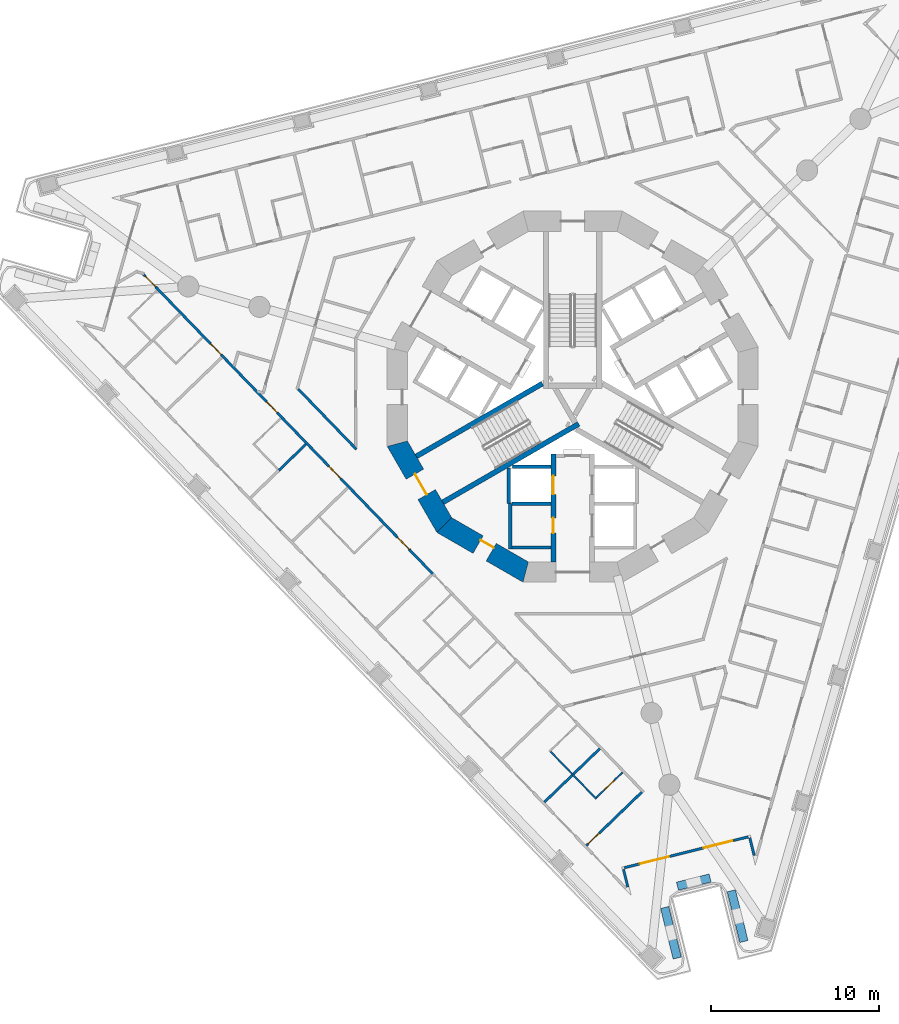
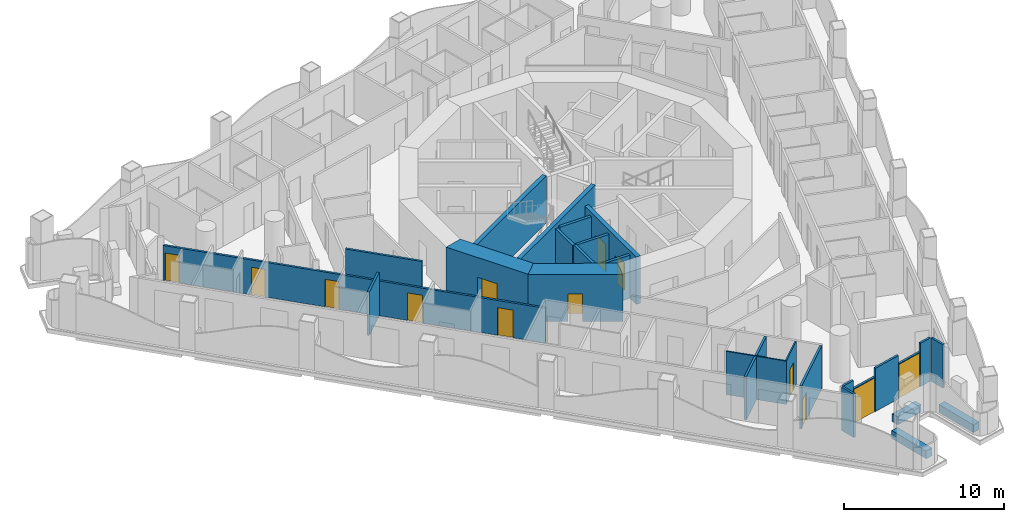
# One storey, part 3 of 19: 28 walls, 13 doors, 13 openings.
"""IFC4 building model written with IfcOpenShell, lengths in metres."""

from ifc_helpers import new_model, si_unit, direction, frame, frame_2d, origin, place, context, subcontext, project, spatial, polyline, rectangle, outline, extrude, material, layer, layer_set, type_object, element, fill, save


model = new_model("IFC4")

# Units and contexts
model_context = context("Model", 3, precision=1e-05, world=origin(), true_north=direction((0.0, 1.0)))
body_context = subcontext(model_context, "Body", "Model", "MODEL_VIEW")
ifc_project = project(units=[si_unit("LENGTHUNIT", "METRE"), si_unit("AREAUNIT", "SQUARE_METRE"), si_unit("VOLUMEUNIT", "CUBIC_METRE"), si_unit("PLANEANGLEUNIT", "RADIAN"), si_unit("MASSUNIT", "GRAM", prefix="KILO")], contexts=[model_context])

# Site, building, storey
site_placement = place(None, origin())
site = spatial("IfcSite", under=ifc_project, at=site_placement, CompositionType="ELEMENT")
building_placement = place(site_placement, origin())
building = spatial("IfcBuilding", under=site, at=building_placement, Name="Trine Commons Tower", CompositionType="ELEMENT")
storey_placement = place(building_placement, frame((0.0, 0.0, 105.300048828125)))
storey = spatial("IfcBuildingStorey", under=building, at=storey_placement, Name="L26", CompositionType="ELEMENT", Elevation=105.300048828125)

# Walls
ifc_material_1 = material(Name="Aluminium-framed insulated wall panel", Category="aluminium")
ifc_layer_1 = layer(ifc_material_1, 0.14990234375)
ifc_layer_set_1 = layer_set([ifc_layer_1], Name="Aluminium-framed insulated wall panel")
wall_type_1 = type_object("IfcWallType", Name="Glazed frame wall 150, EI 60", PredefinedType="SOLIDWALL", material=ifc_layer_set_1)
wall_1_placement = place(storey_placement, frame((90.810302734375, 35.118896484375, 0.0), z_axis=(0.0, 0.0, 1.0), x_axis=(-0.241937701072, 0.970291785393, 0.0)))
element("IfcWall", 1, at=wall_1_placement, inside=storey, type_object=wall_type_1, Name="Glazed frame wall R9", PredefinedType="SOLIDWALL", context=body_context, shape_type="SweptSolid", body=[
    extrude(outline(polyline([(0.1494140625, 0.074951171875), (0.1494140625, -0.074951171875), (1.235107421875, -0.074951171875), (1.235107421875, 0.074951171875), (0.1494140625, 0.074951171875)])), origin(), (0.0, 0.0, 1.0), 3.300048828125),
])
wall_2_placement = place(storey_placement, frame((90.527099609375, 36.398681640625, 0.0), z_axis=(0.0, 0.0, 1.0), x_axis=(-0.970285952705, -0.24196109188, 0.0)))
element("IfcWall", 2, at=wall_2_placement, inside=storey, type_object=wall_type_1, Name="Glazed frame wall P3.1", PredefinedType="SOLIDWALL", context=body_context, shape_type="SweptSolid", body=[
    extrude(outline(polyline([(0.110107421875, -0.074951171875), (1.0, -0.074951171875), (1.0, 0.074951171875), (0.110107421875, 0.074951171875), (0.110107421875, -0.074951171875)])), origin(), (0.0, 0.0, 1.0), 3.300048828125),
])

# Wall, opening, door
wall_3_placement = place(storey_placement, frame((89.556884765625, 36.15673828125, 0.0), z_axis=(0.0, 0.0, 1.0), x_axis=(-0.970285945114, -0.241961122321, 0.0)))
wall_3 = element("IfcWall", 3, at=wall_3_placement, inside=storey, type_object=wall_type_1, Name="Glazed frame wall P3.2", PredefinedType="SOLIDWALL", context=body_context, shape_type="SweptSolid", body=[
    extrude(outline(polyline([(0.0, -0.074951171875), (1.89990234375, -0.074951171875), (1.89990234375, 0.074951171875), (0.0, 0.074951171875), (0.0, -0.074951171875)])), origin(), (0.0, 0.0, 1.0), 2.64990234375),
])
opening_1_placement = place(wall_3_placement, frame((0.050048828125, 0.0, 0.0)))
opening_1 = element("IfcOpeningElement", 4, at=opening_1_placement, cuts=wall_3, Name="Opening BD-3P3-01", PredefinedType="OPENING", context=body_context, shape_type="SweptSolid", body=[
    extrude(rectangle(XDim=1.800048828125, YDim=2.60009765625, at=frame_2d((0.89990234375, 1.300048828125))), frame((0.0, 0.0849609375, 0.0), z_axis=(0.0, -1.0, 0.0), x_axis=(1.0, 0.0, 0.0)), (0.0, 0.0, 1.0), 0.169921875),
])
ifc_material_2 = material(Name="Anodised aluminium frame with double glazing", Category="aluminium")
door_type_1 = type_object("IfcDoorType", Name="Sliding loggia door 1800x2600", OperationType="SLIDING_TO_LEFT", PredefinedType="DOOR", material=ifc_material_2)
door_1_placement = place(opening_1_placement, origin())
door_1 = element("IfcDoor", 5, at=door_1_placement, inside=storey, type_object=door_type_1, Name="Loggia door P3 1", OperationType="SLIDING_TO_LEFT", OverallHeight=2.60009765625, OverallWidth=1.800048828125, PredefinedType="DOOR", context=body_context, shape_type="SweptSolid", body=[
    extrude(rectangle(XDim=1.800048828125, YDim=2.60009765625, at=frame_2d((0.89990234375, 1.300048828125))), frame((0.0, 0.02490234375, 0.0), z_axis=(0.0, -1.0, 0.0), x_axis=(1.0, 0.0, 0.0)), (0.0, 0.0, 1.0), 0.050048828125),
])
fill(opening_1, door_1)

# Wall
wall_4_placement = place(storey_placement, frame((87.71337890625, 35.697021484375, 0.0), z_axis=(0.0, 0.0, 1.0), x_axis=(-0.970293098586, -0.241932434444, 0.0)))
element("IfcWall", 6, at=wall_4_placement, inside=storey, type_object=wall_type_1, Name="Glazed frame wall P3.3", PredefinedType="SOLIDWALL", context=body_context, shape_type="SweptSolid", body=[
    extrude(outline(polyline([(0.0, -0.074951171875), (2.0, -0.074951171875), (2.0, 0.074951171875), (0.0, 0.074951171875), (0.0, -0.074951171875)])), origin(), (0.0, 0.0, 1.0), 3.300048828125),
])

# Wall, opening, door
wall_5_placement = place(storey_placement, frame((85.772705078125, 35.213134765625, 0.0), z_axis=(0.0, 0.0, 1.0), x_axis=(-0.970285945114, -0.241961122321, 0.0)))
wall_5 = element("IfcWall", 7, at=wall_5_placement, inside=storey, type_object=wall_type_1, Name="Glazed frame wall P3.4", PredefinedType="SOLIDWALL", context=body_context, shape_type="SweptSolid", body=[
    extrude(outline(polyline([(0.0, -0.074951171875), (1.89990234375, -0.074951171875), (1.89990234375, 0.074951171875), (0.0, 0.074951171875), (0.0, -0.074951171875)])), origin(), (0.0, 0.0, 1.0), 2.64990234375),
])
opening_2_placement = place(wall_5_placement, frame((0.050048828125, 0.0, 0.0)))
opening_2 = element("IfcOpeningElement", 8, at=opening_2_placement, cuts=wall_5, Name="Opening BD-3P3-02", PredefinedType="OPENING", context=body_context, shape_type="SweptSolid", body=[
    extrude(rectangle(XDim=1.800048828125, YDim=2.60009765625, at=frame_2d((0.89990234375, 1.300048828125))), frame((0.0, 0.0849609375, 0.0), z_axis=(0.0, -1.0, 0.0), x_axis=(1.0, 0.0, 0.0)), (0.0, 0.0, 1.0), 0.169921875),
])
door_2_placement = place(opening_2_placement, origin())
door_2 = element("IfcDoor", 9, at=door_2_placement, inside=storey, type_object=door_type_1, Name="Loggia door P3 2", OperationType="SLIDING_TO_LEFT", OverallHeight=2.60009765625, OverallWidth=1.800048828125, PredefinedType="DOOR", context=body_context, shape_type="SweptSolid", body=[
    extrude(rectangle(XDim=1.800048828125, YDim=2.60009765625, at=frame_2d((0.89990234375, 1.300048828125))), frame((0.0, 0.02490234375, 0.0), z_axis=(0.0, -1.0, 0.0), x_axis=(1.0, 0.0, 0.0)), (0.0, 0.0, 1.0), 0.050048828125),
])
fill(opening_2, door_2)

# Walls
wall_6_placement = place(storey_placement, frame((83.92919921875, 34.75341796875, 0.0), z_axis=(0.0, 0.0, 1.0), x_axis=(-0.970343250308, -0.241731207299, 0.0)))
element("IfcWall", 10, at=wall_6_placement, inside=storey, type_object=wall_type_1, Name="Glazed frame wall P3.5", PredefinedType="SOLIDWALL", context=body_context, shape_type="SweptSolid", body=[
    extrude(outline(polyline([(0.889892578125, 0.074951171875), (0.0, 0.074951171875), (0.0, -0.074951171875), (0.889892578125, -0.074951171875), (0.889892578125, 0.074951171875)])), origin(), (0.0, 0.0, 1.0), 3.300048828125),
])
wall_7_placement = place(storey_placement, frame((82.984375, 34.553955078125, 0.0), z_axis=(0.0, 0.0, 1.0), x_axis=(0.241980315181, -0.970281158771, 0.0)))
element("IfcWall", 11, at=wall_7_placement, inside=storey, type_object=wall_type_1, Name="Glazed frame wall R11", PredefinedType="SOLIDWALL", context=body_context, shape_type="SweptSolid", body=[
    extrude(outline(polyline([(0.110107421875, 0.074951171875), (0.110107421875, -0.074951171875), (1.19580078125, -0.074951171875), (1.19580078125, 0.074951171875), (0.110107421875, 0.074951171875)])), origin(), (0.0, 0.0, 1.0), 3.300048828125),
])
ifc_material_3 = material(Name="Planter trough, precast concrete C40/50", Category="concrete")
ifc_layer_2 = layer(ifc_material_3, 0.5)
ifc_layer_set_2 = layer_set([ifc_layer_2], Name="Planter trough, precast concrete C40/50")
wall_type_2 = type_object("IfcWallType", Name="Planter trough 500x600", PredefinedType="PARAPET", material=ifc_layer_set_2)
wall_8_placement = place(storey_placement, frame((90.16552734375, 30.160888671875, 0.0), z_axis=(0.0, 0.0, 1.0), x_axis=(-0.2419425832, 0.970290568044, 0.0)))
element("IfcWall", 12, at=wall_8_placement, inside=storey, type_object=wall_type_2, Name="Planter 7", PredefinedType="PARAPET", context=body_context, shape_type="SweptSolid", body=[
    extrude(rectangle(XDim=3.099853515625, YDim=0.5, at=frame_2d((1.5498046875, 0.0))), origin(), (0.0, 0.0, 1.0), 0.599853515625),
])
wall_9_placement = place(storey_placement, frame((88.15478515625, 33.92626953125, 0.0), z_axis=(0.0, 0.0, 1.0), x_axis=(-0.970285952705, -0.24196109188, 0.0)))
element("IfcWall", 13, at=wall_9_placement, inside=storey, type_object=wall_type_2, Name="Planter 8", PredefinedType="PARAPET", context=body_context, shape_type="SweptSolid", body=[
    extrude(rectangle(XDim=1.999755859375, YDim=0.5, at=frame_2d((1.0, 0.0))), origin(), (0.0, 0.0, 1.0), 0.599853515625),
])
wall_10_placement = place(storey_placement, frame((85.456787109375, 32.181640625, 0.0), z_axis=(0.0, 0.0, 1.0), x_axis=(0.2419425832, -0.970290568044, 0.0)))
element("IfcWall", 14, at=wall_10_placement, inside=storey, type_object=wall_type_2, Name="Planter 9", PredefinedType="PARAPET", context=body_context, shape_type="SweptSolid", body=[
    extrude(rectangle(XDim=3.099853515625, YDim=0.5, at=frame_2d((1.5498046875, 0.0))), origin(), (0.0, 0.0, 1.0), 0.599853515625),
])

# Wall, opening, door
ifc_material_4 = material(Name="Concrete C70/85", Category="concrete")
ifc_layer_3 = layer(ifc_material_4, 1.199951171875)
ifc_layer_set_3 = layer_set([ifc_layer_3], Name="Concrete C70/85")
wall_type_3 = type_object("IfcWallType", Name="RC shear wall 1200 mm, C70/85", PredefinedType="SHEAR", material=ifc_layer_set_3)
wall_11_placement = place(storey_placement, frame((69.508056640625, 59.849609375, 0.0), z_axis=(0.0, 0.0, 1.0), x_axis=(0.499979111662, -0.866037463336, 0.0)))
wall_11 = element("IfcWall", 15, at=wall_11_placement, inside=storey, type_object=wall_type_3, Name="Core wall CWC-08 L26", PredefinedType="SHEAR", context=body_context, shape_type="SweptSolid", body=[
    extrude(outline(polyline([(0.0, -0.60009765625), (5.901123046875, -0.60009765625), (5.57958984375, 0.60009765625), (0.321533203125, 0.60009765625), (0.0, -0.60009765625)])), origin(), (0.0, 0.0, 1.0), 3.599853515625),
])
opening_3_placement = place(wall_11_placement, frame((2.25048828125, 0.0, 0.0)))
opening_3 = element("IfcOpeningElement", 16, at=opening_3_placement, cuts=wall_11, Name="Opening K05.02", PredefinedType="OPENING", context=body_context, shape_type="SweptSolid", body=[
    extrude(rectangle(XDim=1.39990234375, YDim=2.10009765625, at=frame_2d((0.699951171875, 1.050048828125))), frame((0.0, 0.60986328125, 0.0), z_axis=(0.0, -1.0, 0.0), x_axis=(1.0, 0.0, 0.0)), (0.0, 0.0, 1.0), 1.219970703125),
])
ifc_material_5 = material(Name="Steel door leaves, fire-rated", Category="steel")
door_type_2 = type_object("IfcDoorType", Name="Stair door, double leaf 1400 x 2100, FD90", OperationType="DOUBLE_DOOR_SINGLE_SWING", PredefinedType="DOOR", material=ifc_material_5)
door_3_placement = place(opening_3_placement, origin())
door_3 = element("IfcDoor", 17, at=door_3_placement, inside=storey, type_object=door_type_2, Name="Stair door to Exit stair ST2A L26", OperationType="DOUBLE_DOOR_SINGLE_SWING", OverallHeight=2.10009765625, OverallWidth=1.39990234375, PredefinedType="DOOR", context=body_context, shape_type="SweptSolid", body=[
    extrude(rectangle(XDim=1.39990234375, YDim=2.10009765625, at=frame_2d((0.699951171875, 1.050048828125))), frame((0.0, 0.02490234375, 0.0), z_axis=(0.0, -1.0, 0.0), x_axis=(1.0, 0.0, 0.0)), (0.0, 0.0, 1.0), 0.050048828125),
])
fill(opening_3, door_3)

wall_12_placement = place(storey_placement, frame((72.239013671875, 54.95849609375, 0.0), z_axis=(0.0, 0.0, 1.0), x_axis=(0.866037463336, -0.499979111662, 0.0)))
wall_12 = element("IfcWall", 18, at=wall_12_placement, inside=storey, type_object=wall_type_3, Name="Core wall CWC-09 L26", PredefinedType="SHEAR", context=body_context, shape_type="SweptSolid", body=[
    extrude(outline(polyline([(0.0, -0.60009765625), (5.901123046875, -0.60009765625), (5.57958984375, 0.60009765625), (0.321533203125, 0.60009765625), (0.0, -0.60009765625)])), origin(), (0.0, 0.0, 1.0), 3.599853515625),
])
opening_4_placement = place(wall_12_placement, frame((2.4765625, 0.0, 0.0)))
opening_4 = element("IfcOpeningElement", 19, at=opening_4_placement, cuts=wall_12, Name="Opening K05.14", PredefinedType="OPENING", context=body_context, shape_type="SweptSolid", body=[
    extrude(rectangle(XDim=0.89990234375, YDim=2.10009765625, at=frame_2d((0.449951171875, 1.050048828125))), frame((0.0, 0.60986328125, 0.0), z_axis=(0.0, -1.0, 0.0), x_axis=(1.0, 0.0, 0.0)), (0.0, 0.0, 1.0), 1.219970703125),
])
ifc_material_6 = material(Name="Steel door leaf, fire-rated", Category="steel")
door_type_3 = type_object("IfcDoorType", Name="Core room door, single leaf 900 x 2100, FD30S", OperationType="SINGLE_SWING_LEFT", PredefinedType="DOOR", material=ifc_material_6)
door_4_placement = place(opening_4_placement, origin())
door_4 = element("IfcDoor", 20, at=door_4_placement, inside=storey, type_object=door_type_3, Name="Door to Parcel store L26", OperationType="SINGLE_SWING_LEFT", OverallHeight=2.10009765625, OverallWidth=0.89990234375, PredefinedType="DOOR", context=body_context, shape_type="SweptSolid", body=[
    extrude(rectangle(XDim=0.89990234375, YDim=2.10009765625, at=frame_2d((0.449951171875, 1.050048828125))), frame((0.0, 0.3251953125, 0.0), z_axis=(0.0, -1.0, 0.0), x_axis=(1.0, 0.0, 0.0)), (0.0, 0.0, 1.0), 0.050048828125),
])
fill(opening_4, door_4)

# Wall, openings, doors
ifc_layer_4 = layer(ifc_material_4, 0.300048828125)
ifc_layer_set_4 = layer_set([ifc_layer_4], Name="Concrete C70/85")
wall_type_4 = type_object("IfcWallType", Name="RC shear wall 300 mm, C70/85", PredefinedType="SHEAR", material=ifc_layer_set_4)
wall_13_placement = place(storey_placement, frame((78.85009765625, 59.10009765625, 0.0), z_axis=(0.0, 0.0, 1.0), x_axis=(0.0, -1.0, 0.0)))
wall_13 = element("IfcWall", 21, at=wall_13_placement, inside=storey, type_object=wall_type_4, Name="Core cross wall SWA-03 L26", PredefinedType="SHEAR", context=body_context, shape_type="SweptSolid", body=[
    extrude(rectangle(XDim=6.412109375, YDim=0.300048828125, at=frame_2d((3.2060546875, 0.0))), origin(), (0.0, 0.0, 1.0), 3.599853515625),
])
opening_5_placement = place(wall_13_placement, frame((3.800048828125, 0.0, 0.0)))
opening_5 = element("IfcOpeningElement", 22, at=opening_5_placement, cuts=wall_13, Name="Opening K05.10", PredefinedType="OPENING", context=body_context, shape_type="SweptSolid", body=[
    extrude(rectangle(XDim=0.89990234375, YDim=2.10009765625, at=frame_2d((0.449951171875, 1.050048828125))), frame((0.0, 0.159912109375, 0.0), z_axis=(0.0, -1.0, 0.0), x_axis=(1.0, 0.0, 0.0)), (0.0, 0.0, 1.0), 0.320068359375),
])
opening_6_placement = place(wall_13_placement, frame((1.300048828125, 0.0, 0.0)))
opening_6 = element("IfcOpeningElement", 23, at=opening_6_placement, cuts=wall_13, Name="Opening LD10", PredefinedType="OPENING", context=body_context, shape_type="SweptSolid", body=[
    extrude(rectangle(XDim=1.10009765625, YDim=2.10009765625, at=frame_2d((0.550048828125, 1.050048828125))), frame((0.0, 0.159912109375, 0.0), z_axis=(0.0, -1.0, 0.0), x_axis=(1.0, 0.0, 0.0)), (0.0, 0.0, 1.0), 0.320068359375),
])
door_5_placement = place(opening_5_placement, frame((0.89990234375, 0.0, 0.0), z_axis=(0.0, 0.0, 1.0), x_axis=(-1.0, 0.0, 0.0)))
door_5 = element("IfcDoor", 24, at=door_5_placement, inside=storey, type_object=door_type_3, Name="Door to Comms room L26", OperationType="SINGLE_SWING_RIGHT", OverallHeight=2.10009765625, OverallWidth=0.89990234375, PredefinedType="DOOR", context=body_context, shape_type="SweptSolid", body=[
    extrude(rectangle(XDim=0.89990234375, YDim=2.10009765625, at=frame_2d((0.449951171875, 1.050048828125))), frame((0.0, 0.02490234375, 0.0), z_axis=(0.0, -1.0, 0.0), x_axis=(1.0, 0.0, 0.0)), (0.0, 0.0, 1.0), 0.050048828125),
])
fill(opening_5, door_5)
ifc_material_7 = material(Name="Stainless steel sliding door leaves", Category="steel")
door_type_4 = type_object("IfcDoorType", Name="Lift landing door, centre-opening sliding 1100 x 2100, FD90", OperationType="DOUBLE_DOOR_SLIDING", PredefinedType="DOOR", material=ifc_material_7)
door_6_placement = place(opening_6_placement, origin())
door_6 = element("IfcDoor", 25, at=door_6_placement, inside=storey, type_object=door_type_4, Name="Lift landing door FF2 L26", OperationType="DOUBLE_DOOR_SLIDING", OverallHeight=2.10009765625, OverallWidth=1.10009765625, PredefinedType="DOOR", context=body_context, shape_type="SweptSolid", body=[
    extrude(rectangle(XDim=1.10009765625, YDim=2.10009765625, at=frame_2d((0.550048828125, 1.050048828125))), frame((0.0, 0.02490234375, 0.0), z_axis=(0.0, -1.0, 0.0), x_axis=(1.0, 0.0, 0.0)), (0.0, 0.0, 1.0), 0.050048828125),
])
fill(opening_6, door_6)

# Walls
wall_14_placement = place(storey_placement, frame((78.199951171875, 63.280029296875, 0.0), z_axis=(0.0, 0.0, 1.0), x_axis=(-0.865965399159, -0.500103916661, 0.0)))
element("IfcWall", 26, at=wall_14_placement, inside=storey, type_object=wall_type_4, Name="Core cross wall SWA-07 L26", PredefinedType="SHEAR", context=body_context, shape_type="SweptSolid", body=[
    extrude(rectangle(XDim=8.642333984375, YDim=0.300048828125, at=frame_2d((4.3212890625, 0.0))), origin(), (0.0, 0.0, 1.0), 3.599853515625),
])
wall_15_placement = place(storey_placement, frame((80.35400390625, 60.885986328125, 0.0), z_axis=(0.0, 0.0, 1.0), x_axis=(-0.865986456211, -0.50006745311, 0.0)))
element("IfcWall", 27, at=wall_15_placement, inside=storey, type_object=wall_type_4, Name="Core cross wall SWA-14 L26", PredefinedType="SHEAR", context=body_context, shape_type="SweptSolid", body=[
    extrude(rectangle(XDim=9.310791015625, YDim=0.300048828125, at=frame_2d((4.6552734375, 0.0))), origin(), (0.0, 0.0, 1.0), 3.599853515625),
])
ifc_material_8 = material(Name="Fire-rated gypsum shaft wall system")
ifc_layer_5 = layer(ifc_material_8, 0.199951171875)
ifc_layer_set_5 = layer_set([ifc_layer_5], Name="Fire-rated gypsum shaft wall system")
wall_type_5 = type_object("IfcWallType", Name="Shaft wall 200 mm, EI 120", PredefinedType="PARTITIONING", material=ifc_layer_set_5)
wall_16_placement = place(storey_placement, frame((76.199951171875, 58.256103515625, 0.0), z_axis=(0.0, 0.0, 1.0), x_axis=(0.0, -1.0, 0.0)))
element("IfcWall", 28, at=wall_16_placement, inside=storey, type_object=wall_type_5, Name="Shaft wall L26", PredefinedType="PARTITIONING", context=body_context, shape_type="SweptSolid", body=[
    extrude(rectangle(XDim=2.106201171875, YDim=0.199951171875, at=frame_2d((1.05322265625, 0.0))), origin(), (0.0, 0.0, 1.0), 3.300048828125),
])
wall_17_placement = place(storey_placement, frame((76.300048828125, 56.14990234375, 0.0), z_axis=(0.0, 0.0, 1.0), x_axis=(0.0, -1.0, 0.0)))
element("IfcWall", 29, at=wall_17_placement, inside=storey, type_object=wall_type_5, Name="Shaft wall L26", PredefinedType="PARTITIONING", context=body_context, shape_type="SweptSolid", body=[
    extrude(rectangle(XDim=2.699951171875, YDim=0.199951171875, at=frame_2d((1.35009765625, 0.0))), origin(), (0.0, 0.0, 1.0), 3.300048828125),
])
for number, where, z_axis, x_axis, name in (
    (30, (78.699951171875, 53.550048828125, 0.0), (0.0, 0.0, 1.0), (-1.0, 0.0, 0.0), "Shaft wall L26"),
    (31, (78.699951171875, 56.14990234375, 0.0), (0.0, 0.0, 1.0), (-1.0, 0.0, 0.0), "Shaft wall L26"),
):
    element("IfcWall", number, at=place(storey_placement, frame(where, z_axis=z_axis, x_axis=x_axis)), inside=storey, type_object=wall_type_5, Name=name, PredefinedType="PARTITIONING", context=body_context, shape_type="SweptSolid", body=[
        extrude(rectangle(XDim=2.300048828125, YDim=0.199951171875, at=frame_2d((1.14990234375, 0.0))), origin(), (0.0, 0.0, 1.0), 3.300048828125),
    ])
wall_18_placement = place(storey_placement, frame((78.699951171875, 58.35009765625, 0.0), z_axis=(0.0, 0.0, 1.0), x_axis=(-1.0, 0.0, 0.0)))
element("IfcWall", 32, at=wall_18_placement, inside=storey, type_object=wall_type_5, Name="Shaft wall L26", PredefinedType="PARTITIONING", context=body_context, shape_type="SweptSolid", body=[
    extrude(rectangle(XDim=2.264892578125, YDim=0.199951171875, at=frame_2d((1.13232421875, 0.0))), origin(), (0.0, 0.0, 1.0), 3.300048828125),
])

# Wall, openings, doors
ifc_material_9 = material(Name="Gypsum plasterboard on steel stud", Category="steel")
ifc_layer_6 = layer(ifc_material_9, 0.14990234375)
ifc_layer_set_6 = layer_set([ifc_layer_6], Name="Gypsum plasterboard on steel stud")
wall_type_6 = type_object("IfcWallType", Name="Unit and corridor wall 150 mm, EI 60", PredefinedType="PARTITIONING", material=ifc_layer_set_6)
wall_19_placement = place(storey_placement, frame((54.51904296875, 69.76806640625, 0.0), z_axis=(0.0, 0.0, 1.0), x_axis=(0.694620161014, -0.71937669681, 0.0)))
wall_19 = element("IfcWall", 33, at=wall_19_placement, inside=storey, type_object=wall_type_6, Name="Partition 006", PredefinedType="PARTITIONING", context=body_context, shape_type="SweptSolid", body=[
    extrude(rectangle(XDim=24.802001953125, YDim=0.14990234375, at=frame_2d((12.40087890625, 0.0))), origin(), (0.0, 0.0, 1.0), 2.64990234375),
])
opening_7_placement = place(wall_19_placement, frame((21.714111328125, 0.0, 0.0)))
opening_7 = element("IfcOpeningElement", 34, at=opening_7_placement, cuts=wall_19, Name="Opening D-3B31", PredefinedType="OPENING", context=body_context, shape_type="SweptSolid", body=[
    extrude(rectangle(XDim=1.0, YDim=2.10009765625, at=frame_2d((0.5, 1.050048828125))), frame((0.0, 0.0849609375, 0.0), z_axis=(0.0, -1.0, 0.0), x_axis=(1.0, 0.0, 0.0)), (0.0, 0.0, 1.0), 0.169921875),
])
opening_8_placement = place(wall_19_placement, frame((15.85107421875, 0.0, 0.0)))
opening_8 = element("IfcOpeningElement", 35, at=opening_8_placement, cuts=wall_19, Name="Opening D-3B32", PredefinedType="OPENING", context=body_context, shape_type="SweptSolid", body=[
    extrude(rectangle(XDim=1.0, YDim=2.10009765625, at=frame_2d((0.5, 1.050048828125))), frame((0.0, 0.0849609375, 0.0), z_axis=(0.0, -1.0, 0.0), x_axis=(1.0, 0.0, 0.0)), (0.0, 0.0, 1.0), 0.169921875),
])
opening_9_placement = place(wall_19_placement, frame((10.52001953125, 0.0, 0.0)))
opening_9 = element("IfcOpeningElement", 36, at=opening_9_placement, cuts=wall_19, Name="Opening D-3B33", PredefinedType="OPENING", context=body_context, shape_type="SweptSolid", body=[
    extrude(rectangle(XDim=0.89990234375, YDim=2.10009765625, at=frame_2d((0.449951171875, 1.050048828125))), frame((0.0, 0.0849609375, 0.0), z_axis=(0.0, -1.0, 0.0), x_axis=(1.0, 0.0, 0.0)), (0.0, 0.0, 1.0), 0.169921875),
])
opening_10_placement = place(wall_19_placement, frame((5.732177734375, 0.0, 0.0)))
opening_10 = element("IfcOpeningElement", 37, at=opening_10_placement, cuts=wall_19, Name="Opening D-3B34", PredefinedType="OPENING", context=body_context, shape_type="SweptSolid", body=[
    extrude(rectangle(XDim=0.89990234375, YDim=2.10009765625, at=frame_2d((0.449951171875, 1.050048828125))), frame((0.0, 0.0849609375, 0.0), z_axis=(0.0, -1.0, 0.0), x_axis=(1.0, 0.0, 0.0)), (0.0, 0.0, 1.0), 0.169921875),
])
opening_11_placement = place(wall_19_placement, frame((0.14990234375, 0.0, 0.0)))
opening_11 = element("IfcOpeningElement", 38, at=opening_11_placement, cuts=wall_19, Name="Opening D-3B35", PredefinedType="OPENING", context=body_context, shape_type="SweptSolid", body=[
    extrude(rectangle(XDim=0.89990234375, YDim=2.10009765625, at=frame_2d((0.449951171875, 1.050048828125))), frame((0.0, 0.0849609375, 0.0), z_axis=(0.0, -1.0, 0.0), x_axis=(1.0, 0.0, 0.0)), (0.0, 0.0, 1.0), 0.169921875),
])
ifc_material_10 = material(Name="Painted timber", Category="wood")
door_type_5 = type_object("IfcDoorType", Name="Amenity room door 1000 x 2100, NOT RATED", OperationType="NOTDEFINED", PredefinedType="DOOR", material=ifc_material_10)
door_7_placement = place(opening_8_placement, frame((1.0, 0.0, 0.0), z_axis=(0.0, 0.0, 1.0), x_axis=(-1.0, 0.0, 0.0)))
door_7 = element("IfcDoor", 39, at=door_7_placement, inside=storey, type_object=door_type_5, Name="Door D-3B32", OperationType="SINGLE_SWING_LEFT", OverallHeight=2.10009765625, OverallWidth=1.0, PredefinedType="DOOR", context=body_context, shape_type="SweptSolid", body=[
    extrude(rectangle(XDim=1.0, YDim=2.10009765625, at=frame_2d((0.5, 1.050048828125))), frame((0.0, 0.02490234375, 0.0), z_axis=(0.0, -1.0, 0.0), x_axis=(1.0, 0.0, 0.0)), (0.0, 0.0, 1.0), 0.050048828125),
])
fill(opening_8, door_7)
ifc_material_11 = material(Name="Timber fire door set", Category="wood")
door_type_6 = type_object("IfcDoorType", Name="Bedroom door 1000 x 2100, FD30S", OperationType="NOTDEFINED", PredefinedType="DOOR", material=ifc_material_11)
door_8_placement = place(opening_7_placement, frame((1.0, 0.0, 0.0), z_axis=(0.0, 0.0, 1.0), x_axis=(-1.0, 0.0, 0.0)))
door_8 = element("IfcDoor", 40, at=door_8_placement, inside=storey, type_object=door_type_6, Name="Door D-3B31", OperationType="SINGLE_SWING_LEFT", OverallHeight=2.10009765625, OverallWidth=1.0, PredefinedType="DOOR", context=body_context, shape_type="SweptSolid", body=[
    extrude(rectangle(XDim=1.0, YDim=2.10009765625, at=frame_2d((0.5, 1.050048828125))), frame((0.0, 0.02490234375, 0.0), z_axis=(0.0, -1.0, 0.0), x_axis=(1.0, 0.0, 0.0)), (0.0, 0.0, 1.0), 0.050048828125),
])
fill(opening_7, door_8)
door_type_7 = type_object("IfcDoorType", Name="Bedroom door 900 x 2100, FD30S", OperationType="NOTDEFINED", PredefinedType="DOOR", material=ifc_material_11)
door_9_placement = place(opening_9_placement, frame((0.89990234375, 0.0, 0.0), z_axis=(0.0, 0.0, 1.0), x_axis=(-1.0, 0.0, 0.0)))
door_9 = element("IfcDoor", 41, at=door_9_placement, inside=storey, type_object=door_type_7, Name="Door D-3B33", OperationType="SINGLE_SWING_RIGHT", OverallHeight=2.10009765625, OverallWidth=0.89990234375, PredefinedType="DOOR", context=body_context, shape_type="SweptSolid", body=[
    extrude(rectangle(XDim=0.89990234375, YDim=2.10009765625, at=frame_2d((0.449951171875, 1.050048828125))), frame((0.0, 0.02490234375, 0.0), z_axis=(0.0, -1.0, 0.0), x_axis=(1.0, 0.0, 0.0)), (0.0, 0.0, 1.0), 0.050048828125),
])
fill(opening_9, door_9)
door_10_placement = place(opening_10_placement, frame((0.89990234375, 0.0, 0.0), z_axis=(0.0, 0.0, 1.0), x_axis=(-1.0, 0.0, 0.0)))
door_10 = element("IfcDoor", 42, at=door_10_placement, inside=storey, type_object=door_type_7, Name="Door D-3B34", OperationType="SINGLE_SWING_RIGHT", OverallHeight=2.10009765625, OverallWidth=0.89990234375, PredefinedType="DOOR", context=body_context, shape_type="SweptSolid", body=[
    extrude(rectangle(XDim=0.89990234375, YDim=2.10009765625, at=frame_2d((0.449951171875, 1.050048828125))), frame((0.0, 0.02490234375, 0.0), z_axis=(0.0, -1.0, 0.0), x_axis=(1.0, 0.0, 0.0)), (0.0, 0.0, 1.0), 0.050048828125),
])
fill(opening_10, door_10)
door_11_placement = place(opening_11_placement, frame((0.89990234375, 0.0, 0.0), z_axis=(0.0, 0.0, 1.0), x_axis=(-1.0, 0.0, 0.0)))
door_11 = element("IfcDoor", 43, at=door_11_placement, inside=storey, type_object=door_type_7, Name="Door D-3B35", OperationType="SINGLE_SWING_RIGHT", OverallHeight=2.10009765625, OverallWidth=0.89990234375, PredefinedType="DOOR", context=body_context, shape_type="SweptSolid", body=[
    extrude(rectangle(XDim=0.89990234375, YDim=2.10009765625, at=frame_2d((0.449951171875, 1.050048828125))), frame((0.0, 0.02490234375, 0.0), z_axis=(0.0, -1.0, 0.0), x_axis=(1.0, 0.0, 0.0)), (0.0, 0.0, 1.0), 0.050048828125),
])
fill(opening_11, door_11)

# Walls
wall_20_placement = place(storey_placement, frame((62.556884765625, 58.1259765625, 0.0), z_axis=(0.0, 0.0, 1.0), x_axis=(0.719371273465, 0.694625777605, 0.0)))
element("IfcWall", 44, at=wall_20_placement, inside=storey, type_object=wall_type_6, Name="Partition 026", PredefinedType="PARTITIONING", context=body_context, shape_type="SweptSolid", body=[
    extrude(rectangle(XDim=2.229736328125, YDim=0.14990234375, at=frame_2d((1.11474609375, 0.0))), origin(), (0.0, 0.0, 1.0), 3.300048828125),
])
wall_21_placement = place(storey_placement, frame((63.710205078125, 62.948974609375, 0.0), z_axis=(0.0, 0.0, 1.0), x_axis=(0.694628677397, -0.719368473411, 0.0)))
element("IfcWall", 45, at=wall_21_placement, inside=storey, type_object=wall_type_6, Name="Partition 031", PredefinedType="PARTITIONING", context=body_context, shape_type="SweptSolid", body=[
    extrude(rectangle(XDim=4.9736328125, YDim=0.14990234375, at=frame_2d((2.48681640625, 0.0))), origin(), (0.0, 0.0, 1.0), 3.300048828125),
])
wall_22_placement = place(storey_placement, frame((78.31982421875, 38.430908203125, 0.0), z_axis=(0.0, 0.0, 1.0), x_axis=(0.719117582457, 0.694888410179, 0.0)))
element("IfcWall", 46, at=wall_22_placement, inside=storey, type_object=wall_type_6, Name="Partition 068", PredefinedType="PARTITIONING", context=body_context, shape_type="SweptSolid", body=[
    extrude(rectangle(XDim=2.29736328125, YDim=0.14990234375, at=frame_2d((1.148681640625, 0.0))), origin(), (0.0, 0.0, 1.0), 3.300048828125),
])
wall_23_placement = place(storey_placement, frame((80.0439453125, 40.0966796875, 0.0), z_axis=(0.0, 0.0, 1.0), x_axis=(0.719567787687, 0.694422205091, 0.0)))
element("IfcWall", 47, at=wall_23_placement, inside=storey, type_object=wall_type_6, Name="Partition 075", PredefinedType="PARTITIONING", context=body_context, shape_type="SweptSolid", body=[
    extrude(rectangle(XDim=2.1748046875, YDim=0.14990234375, at=frame_2d((1.08740234375, 0.0))), origin(), (0.0, 0.0, 1.0), 3.300048828125),
])

# Wall, opening, door
wall_24_placement = place(storey_placement, frame((80.811767578125, 35.849853515625, 0.0), z_axis=(0.0, 0.0, 1.0), x_axis=(0.719385819916, 0.694610712632, 0.0)))
wall_24 = element("IfcWall", 48, at=wall_24_placement, inside=storey, type_object=wall_type_6, Name="Partition 077", PredefinedType="PARTITIONING", context=body_context, shape_type="SweptSolid", body=[
    extrude(rectangle(XDim=4.572265625, YDim=0.14990234375, at=frame_2d((2.2861328125, 0.0))), origin(), (0.0, 0.0, 1.0), 3.300048828125),
])
opening_12_placement = place(wall_24_placement, frame((0.14990234375, 0.0, 0.0)))
opening_12 = element("IfcOpeningElement", 49, at=opening_12_placement, cuts=wall_24, Name="Opening D-3B26", PredefinedType="OPENING", context=body_context, shape_type="SweptSolid", body=[
    extrude(rectangle(XDim=0.89990234375, YDim=2.10009765625, at=frame_2d((0.449951171875, 1.050048828125))), frame((0.0, 0.0849609375, 0.0), z_axis=(0.0, -1.0, 0.0), x_axis=(1.0, 0.0, 0.0)), (0.0, 0.0, 1.0), 0.169921875),
])
door_12_placement = place(opening_12_placement, origin())
door_12 = element("IfcDoor", 50, at=door_12_placement, inside=storey, type_object=door_type_7, Name="Door D-3B26", OperationType="SINGLE_SWING_LEFT", OverallHeight=2.10009765625, OverallWidth=0.89990234375, PredefinedType="DOOR", context=body_context, shape_type="SweptSolid", body=[
    extrude(rectangle(XDim=0.89990234375, YDim=2.10009765625, at=frame_2d((0.449951171875, 1.050048828125))), frame((0.0, 0.02490234375, 0.0), z_axis=(0.0, -1.0, 0.0), x_axis=(1.0, 0.0, 0.0)), (0.0, 0.0, 1.0), 0.050048828125),
])
fill(opening_12, door_12)

# Wall
ifc_layer_7 = layer(ifc_material_9, 0.10009765625)
ifc_layer_set_7 = layer_set([ifc_layer_7], Name="Gypsum plasterboard on steel stud")
wall_type_7 = type_object("IfcWallType", Name="Unit partition 100 mm, no rating", PredefinedType="PARTITIONING", material=ifc_layer_set_7)
wall_25_placement = place(storey_placement, frame((78.688720703125, 41.427978515625, 0.0), z_axis=(0.0, 0.0, 1.0), x_axis=(0.694697299155, -0.719302205298, 0.0)))
element("IfcWall", 51, at=wall_25_placement, inside=storey, type_object=wall_type_7, Name="Partition 071", PredefinedType="PARTITIONING", context=body_context, shape_type="SweptSolid", body=[
    extrude(rectangle(XDim=3.8994140625, YDim=0.10009765625, at=frame_2d((1.94970703125, 0.0))), origin(), (0.0, 0.0, 1.0), 3.300048828125),
])

# Wall, opening, door
wall_26_placement = place(storey_placement, frame((81.39892578125, 38.693603515625, 0.0), z_axis=(0.0, 0.0, 1.0), x_axis=(0.71918093231, 0.694822845481, 0.0)))
wall_26 = element("IfcWall", 52, at=wall_26_placement, inside=storey, type_object=wall_type_7, Name="Partition 079", PredefinedType="PARTITIONING", context=body_context, shape_type="SweptSolid", body=[
    extrude(rectangle(XDim=2.175048828125, YDim=0.10009765625, at=frame_2d((1.08740234375, 0.0))), origin(), (0.0, 0.0, 1.0), 3.300048828125),
])
opening_13_placement = place(wall_26_placement, frame((0.6875, 0.0, 0.0)))
opening_13 = element("IfcOpeningElement", 53, at=opening_13_placement, cuts=wall_26, Name="Opening D-3B58", PredefinedType="OPENING", context=body_context, shape_type="SweptSolid", body=[
    extrude(rectangle(XDim=0.800048828125, YDim=2.10009765625, at=frame_2d((0.39990234375, 1.050048828125))), frame((0.0, 0.06005859375, 0.0), z_axis=(0.0, -1.0, 0.0), x_axis=(1.0, 0.0, 0.0)), (0.0, 0.0, 1.0), 0.1201171875),
])
door_type_8 = type_object("IfcDoorType", Name="Internal door 800 x 2100, NOT RATED", OperationType="NOTDEFINED", PredefinedType="DOOR", material=ifc_material_10)
door_13_placement = place(opening_13_placement, frame((0.800048828125, 0.0, 0.0), z_axis=(0.0, 0.0, 1.0), x_axis=(-1.0, 0.0, 0.0)))
door_13 = element("IfcDoor", 54, at=door_13_placement, inside=storey, type_object=door_type_8, Name="Door D-3B58", OperationType="SINGLE_SWING_RIGHT", OverallHeight=2.10009765625, OverallWidth=0.800048828125, PredefinedType="DOOR", context=body_context, shape_type="SweptSolid", body=[
    extrude(rectangle(XDim=0.800048828125, YDim=2.10009765625, at=frame_2d((0.39990234375, 1.050048828125))), frame((0.0, 0.02490234375, 0.0), z_axis=(0.0, -1.0, 0.0), x_axis=(1.0, 0.0, 0.0)), (0.0, 0.0, 1.0), 0.050048828125),
])
fill(opening_13, door_13)

save(model, "model.ifc")
